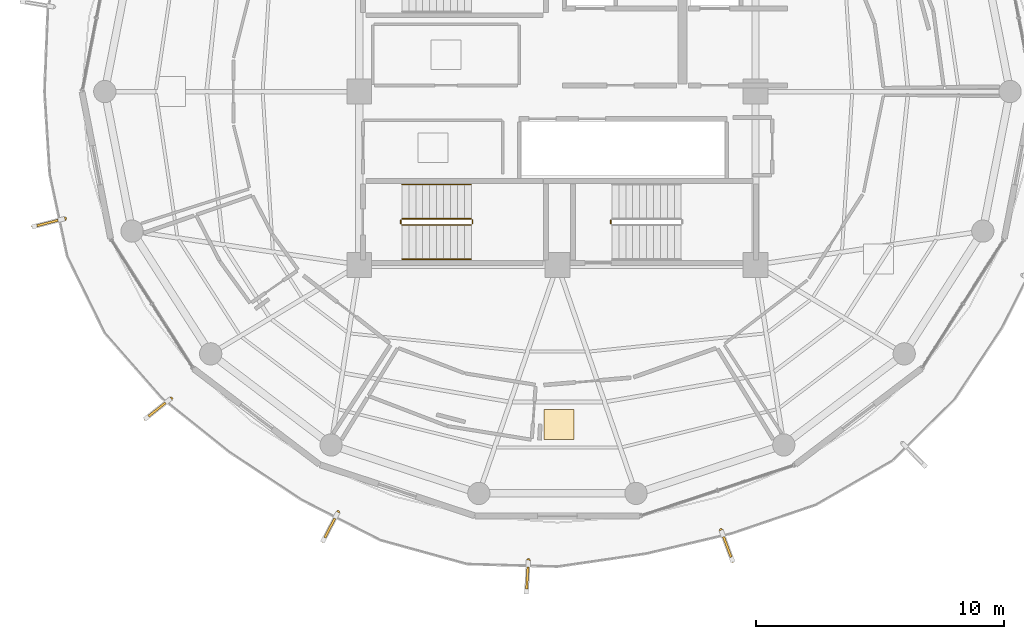
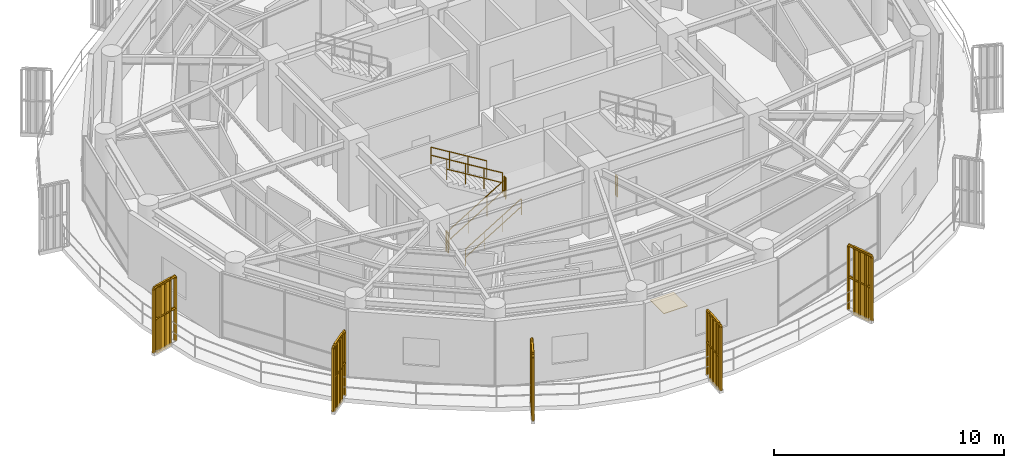
# One storey, part 19 of 22: 12 railings, 5 shading devices, 1 covering.
"""IFC4 building model written with IfcOpenShell, lengths in metres."""

from ifc_helpers import new_model, si_unit, direction, frame, origin, origin_2d, place, context, subcontext, project, spatial, polyline, rectangle, outline, extrude, source, transform, mapped, material, layer, layer_set, type_object, element, save


model = new_model("IFC4")

# Units and contexts
model_context = context("Model", 3, precision=1e-05, world=origin(), true_north=direction((0.0, 1.0)))
body_context = subcontext(model_context, "Body", "Model", "MODEL_VIEW")
ifc_project = project(units=[si_unit("LENGTHUNIT", "METRE"), si_unit("AREAUNIT", "SQUARE_METRE"), si_unit("VOLUMEUNIT", "CUBIC_METRE"), si_unit("PLANEANGLEUNIT", "RADIAN"), si_unit("MASSUNIT", "GRAM", prefix="KILO")], contexts=[model_context])

# Site, building, storey
site_placement = place(None, origin())
site = spatial("IfcSite", under=ifc_project, at=site_placement, CompositionType="ELEMENT")
building_placement = place(site_placement, origin())
building = spatial("IfcBuilding", under=site, at=building_placement, Name="Kelanora Arch Commons", CompositionType="ELEMENT")
storey_placement = place(building_placement, frame((0.0, 0.0, 271.199951171875)))
storey = spatial("IfcBuildingStorey", under=building, at=storey_placement, Name="L69", CompositionType="ELEMENT", Elevation=271.199951171875)

# Railings
ifc_material_1 = material(Name="Anodised bronze vertical shading fin rib assembly")
railing_type_1 = type_object("IfcRailingType", Name="RAIL-FIN-BRZ", PredefinedType="BALUSTRADE", material=ifc_material_1)
railing_1_placement = place(storey_placement, frame((54.105712890625, 52.87060546875, -0.02001953125)))
element("IfcRailing", 1, at=railing_1_placement, inside=storey, type_object=railing_type_1, Name="Sweeping Bronze Vertical Fin Blade L69-09", PredefinedType="BALUSTRADE", context=body_context, shape_type="SweptSolid", body=[
    extrude(outline(polyline([(0.06982421875, 0.0), (0.034912109375, 0.060546875), (-0.034912109375, 0.060546875), (-0.06982421875, 0.0), (-0.034912109375, -0.060546875), (0.034912109375, -0.060546875), (0.06982421875, 0.0)])), frame((0.0, 0.0, 3.419921875), z_axis=(-0.96831089758, -0.249747884132, 0.0), x_axis=(0.249747884132, -0.96831089758, 0.0)), (0.0, 0.0, 1.0), 1.304931640625),
    extrude(outline(polyline([(0.06982421875, 0.0), (0.034912109375, 0.060546875), (-0.034912109375, 0.060546875), (-0.06982421875, 0.0), (-0.034912109375, -0.060546875), (0.034912109375, -0.060546875), (0.06982421875, 0.0)])), frame((0.0, 0.0, 1.7451171875), z_axis=(-0.96831089758, -0.249747884132, 0.0), x_axis=(0.249747884132, -0.96831089758, 0.0)), (0.0, 0.0, 1.0), 1.304931640625),
    extrude(outline(polyline([(0.080078125, 0.0), (0.0400390625, 0.0693359375), (-0.0400390625, 0.0693359375), (-0.080078125, 0.0), (-0.0400390625, -0.0693359375), (0.0400390625, -0.0693359375), (0.080078125, 0.0)])), origin(), (0.0, 0.0, 1.0), 3.35009765625),
    extrude(outline(polyline([(0.080078125, 0.0), (0.0400390625, 0.0693359375), (-0.0400390625, 0.0693359375), (-0.080078125, 0.0), (-0.0400390625, -0.0693359375), (0.0400390625, -0.0693359375), (0.080078125, 0.0)])), frame((-0.31591796875, -0.08154296875, 0.0)), (0.0, 0.0, 1.0), 3.35009765625),
    extrude(outline(polyline([(0.080078125, 0.0), (0.0400390625, 0.0693359375), (-0.0400390625, 0.0693359375), (-0.080078125, 0.0), (-0.0400390625, -0.0693359375), (0.0400390625, -0.0693359375), (0.080078125, 0.0)])), frame((-0.6318359375, -0.1630859375, 0.0)), (0.0, 0.0, 1.0), 3.35009765625),
    extrude(outline(polyline([(0.080078125, 0.0), (0.0400390625, 0.0693359375), (-0.0400390625, 0.0693359375), (-0.080078125, 0.0), (-0.0400390625, -0.0693359375), (0.0400390625, -0.0693359375), (0.080078125, 0.0)])), frame((-0.94775390625, -0.244384765625, 0.0)), (0.0, 0.0, 1.0), 3.35009765625),
    extrude(outline(polyline([(0.080078125, 0.0), (0.0400390625, 0.0693359375), (-0.0400390625, 0.0693359375), (-0.080078125, 0.0), (-0.0400390625, -0.0693359375), (0.0400390625, -0.0693359375), (0.080078125, 0.0)])), frame((-1.263671875, -0.325927734375, 0.0)), (0.0, 0.0, 1.0), 3.35009765625),
])
railing_2_placement = place(storey_placement, frame((58.393310546875, 45.6044921875, -0.02001953125)))
element("IfcRailing", 2, at=railing_2_placement, inside=storey, type_object=railing_type_1, Name="Sweeping Bronze Vertical Fin Blade L69-10", PredefinedType="BALUSTRADE", context=body_context, shape_type="SweptSolid", body=[
    extrude(outline(polyline([(0.06982421875, 0.0), (0.034912109375, 0.060546875), (-0.034912109375, 0.060546875), (-0.06982421875, 0.0), (-0.034912109375, -0.060546875), (0.034912109375, -0.060546875), (0.06982421875, 0.0)])), frame((0.0, 0.0, 3.419921875), z_axis=(-0.783126925406, -0.62186189681, 0.0), x_axis=(0.62186189681, -0.783126925406, 0.0)), (0.0, 0.0, 1.0), 1.304931640625),
    extrude(outline(polyline([(0.06982421875, 0.0), (0.034912109375, 0.060546875), (-0.034912109375, 0.060546875), (-0.06982421875, 0.0), (-0.034912109375, -0.060546875), (0.034912109375, -0.060546875), (0.06982421875, 0.0)])), frame((0.0, 0.0, 1.7451171875), z_axis=(-0.783126925406, -0.62186189681, 0.0), x_axis=(0.62186189681, -0.783126925406, 0.0)), (0.0, 0.0, 1.0), 1.304931640625),
    extrude(outline(polyline([(0.080078125, 0.0), (0.0400390625, 0.0693359375), (-0.0400390625, 0.0693359375), (-0.080078125, 0.0), (-0.0400390625, -0.0693359375), (0.0400390625, -0.0693359375), (0.080078125, 0.0)])), origin(), (0.0, 0.0, 1.0), 3.35009765625),
    extrude(outline(polyline([(0.080078125, 0.0), (0.0400390625, 0.0693359375), (-0.0400390625, 0.0693359375), (-0.080078125, 0.0), (-0.0400390625, -0.0693359375), (0.0400390625, -0.0693359375), (0.080078125, 0.0)])), frame((-0.25537109375, -0.202880859375, 0.0)), (0.0, 0.0, 1.0), 3.35009765625),
    extrude(outline(polyline([(0.080078125, 0.0), (0.0400390625, 0.0693359375), (-0.0400390625, 0.0693359375), (-0.080078125, 0.0), (-0.0400390625, -0.0693359375), (0.0400390625, -0.0693359375), (0.080078125, 0.0)])), frame((-0.510986328125, -0.40576171875, 0.0)), (0.0, 0.0, 1.0), 3.35009765625),
    extrude(outline(polyline([(0.080078125, 0.0), (0.0400390625, 0.0693359375), (-0.0400390625, 0.0693359375), (-0.080078125, 0.0), (-0.0400390625, -0.0693359375), (0.0400390625, -0.0693359375), (0.080078125, 0.0)])), frame((-0.7666015625, -0.608642578125, 0.0)), (0.0, 0.0, 1.0), 3.35009765625),
    extrude(outline(polyline([(0.080078125, 0.0), (0.0400390625, 0.0693359375), (-0.0400390625, 0.0693359375), (-0.080078125, 0.0), (-0.0400390625, -0.0693359375), (0.0400390625, -0.0693359375), (0.080078125, 0.0)])), frame((-1.02197265625, -0.8115234375, 0.0)), (0.0, 0.0, 1.0), 3.35009765625),
])
railing_3_placement = place(storey_placement, frame((65.140380859375, 41.01123046875, -0.02001953125)))
element("IfcRailing", 3, at=railing_3_placement, inside=storey, type_object=railing_type_1, Name="Sweeping Bronze Vertical Fin Blade L69-11", PredefinedType="BALUSTRADE", context=body_context, shape_type="SweptSolid", body=[
    extrude(outline(polyline([(0.06982421875, 0.0), (0.034912109375, 0.060546875), (-0.034912109375, 0.060546875), (-0.06982421875, 0.0), (-0.034912109375, -0.060546875), (0.034912109375, -0.060546875), (0.06982421875, 0.0)])), frame((0.0, 0.0, 3.419921875), z_axis=(-0.462412571572, -0.886664882383, 0.0), x_axis=(0.886664882383, -0.462412571572, 0.0)), (0.0, 0.0, 1.0), 1.30517578125),
    extrude(outline(polyline([(0.06982421875, 0.0), (0.034912109375, 0.060546875), (-0.034912109375, 0.060546875), (-0.06982421875, 0.0), (-0.034912109375, -0.060546875), (0.034912109375, -0.060546875), (0.06982421875, 0.0)])), frame((0.0, 0.0, 1.7451171875), z_axis=(-0.462412571572, -0.886664882383, 0.0), x_axis=(0.886664882383, -0.462412571572, 0.0)), (0.0, 0.0, 1.0), 1.30517578125),
    extrude(outline(polyline([(0.080078125, 0.0), (0.0400390625, 0.0693359375), (-0.0400390625, 0.0693359375), (-0.080078125, 0.0), (-0.0400390625, -0.0693359375), (0.0400390625, -0.0693359375), (0.080078125, 0.0)])), origin(), (0.0, 0.0, 1.0), 3.35009765625),
    extrude(outline(polyline([(0.080078125, 0.0), (0.0400390625, 0.0693359375), (-0.0400390625, 0.0693359375), (-0.080078125, 0.0), (-0.0400390625, -0.0693359375), (0.0400390625, -0.0693359375), (0.080078125, 0.0)])), frame((-0.15087890625, -0.289306640625, 0.0)), (0.0, 0.0, 1.0), 3.35009765625),
    extrude(outline(polyline([(0.080078125, 0.0), (0.0400390625, 0.0693359375), (-0.0400390625, 0.0693359375), (-0.080078125, 0.0), (-0.0400390625, -0.0693359375), (0.0400390625, -0.0693359375), (0.080078125, 0.0)])), frame((-0.3017578125, -0.57861328125, 0.0)), (0.0, 0.0, 1.0), 3.35009765625),
    extrude(outline(polyline([(0.080078125, 0.0), (0.0400390625, 0.0693359375), (-0.0400390625, 0.0693359375), (-0.080078125, 0.0), (-0.0400390625, -0.0693359375), (0.0400390625, -0.0693359375), (0.080078125, 0.0)])), frame((-0.45263671875, -0.867919921875, 0.0)), (0.0, 0.0, 1.0), 3.35009765625),
    extrude(outline(polyline([(0.080078125, 0.0), (0.0400390625, 0.0693359375), (-0.0400390625, 0.0693359375), (-0.080078125, 0.0), (-0.0400390625, -0.0693359375), (0.0400390625, -0.0693359375), (0.080078125, 0.0)])), frame((-0.603515625, -1.1572265625, 0.0)), (0.0, 0.0, 1.0), 3.35009765625),
])
railing_4_placement = place(storey_placement, frame((72.82861328125, 39.072998046875, -0.02001953125)))
element("IfcRailing", 4, at=railing_4_placement, inside=storey, type_object=railing_type_1, Name="Sweeping Bronze Vertical Fin Blade L69-12", PredefinedType="BALUSTRADE", context=body_context, shape_type="SweptSolid", body=[
    extrude(outline(polyline([(0.06982421875, 0.0), (0.034912109375, 0.060546875), (-0.034912109375, 0.060546875), (-0.06982421875, 0.0), (-0.034912109375, -0.060546875), (0.034912109375, -0.060546875), (0.06982421875, 0.0)])), frame((0.0, 0.0, 3.419921875), z_axis=(-0.061924042417, -0.998080864946, 0.0), x_axis=(0.998080864946, -0.061924042417, 0.0)), (0.0, 0.0, 1.0), 1.304931640625),
    extrude(outline(polyline([(0.06982421875, 0.0), (0.034912109375, 0.060546875), (-0.034912109375, 0.060546875), (-0.06982421875, 0.0), (-0.034912109375, -0.060546875), (0.034912109375, -0.060546875), (0.06982421875, 0.0)])), frame((0.0, 0.0, 1.7451171875), z_axis=(-0.061924042417, -0.998080864946, 0.0), x_axis=(0.998080864946, -0.061924042417, 0.0)), (0.0, 0.0, 1.0), 1.304931640625),
    extrude(outline(polyline([(0.080078125, 0.0), (0.0400390625, 0.0693359375), (-0.0400390625, 0.0693359375), (-0.080078125, 0.0), (-0.0400390625, -0.0693359375), (0.0400390625, -0.0693359375), (0.080078125, 0.0)])), origin(), (0.0, 0.0, 1.0), 3.35009765625),
    extrude(outline(polyline([(0.080078125, 0.0), (0.0400390625, 0.0693359375), (-0.0400390625, 0.0693359375), (-0.080078125, 0.0), (-0.0400390625, -0.0693359375), (0.0400390625, -0.0693359375), (0.080078125, 0.0)])), frame((-0.020263671875, -0.32568359375, 0.0)), (0.0, 0.0, 1.0), 3.35009765625),
    extrude(outline(polyline([(0.080078125, 0.0), (0.0400390625, 0.0693359375), (-0.0400390625, 0.0693359375), (-0.080078125, 0.0), (-0.0400390625, -0.0693359375), (0.0400390625, -0.0693359375), (0.080078125, 0.0)])), frame((-0.04052734375, -0.6513671875, 0.0)), (0.0, 0.0, 1.0), 3.35009765625),
    extrude(outline(polyline([(0.080078125, 0.0), (0.0400390625, 0.0693359375), (-0.0400390625, 0.0693359375), (-0.080078125, 0.0), (-0.0400390625, -0.0693359375), (0.0400390625, -0.0693359375), (0.080078125, 0.0)])), frame((-0.060546875, -0.976806640625, 0.0)), (0.0, 0.0, 1.0), 3.35009765625),
    extrude(outline(polyline([(0.080078125, 0.0), (0.0400390625, 0.0693359375), (-0.0400390625, 0.0693359375), (-0.080078125, 0.0), (-0.0400390625, -0.0693359375), (0.0400390625, -0.0693359375), (0.080078125, 0.0)])), frame((-0.080810546875, -1.302490234375, 0.0)), (0.0, 0.0, 1.0), 3.35009765625),
])
railing_5_placement = place(storey_placement, frame((80.609375, 40.28271484375, -0.02001953125)))
element("IfcRailing", 5, at=railing_5_placement, inside=storey, type_object=railing_type_1, Name="Sweeping Bronze Vertical Fin Blade L69-13", PredefinedType="BALUSTRADE", context=body_context, shape_type="SweptSolid", body=[
    extrude(outline(polyline([(0.06982421875, 0.0), (0.034912109375, 0.060546875), (-0.034912109375, 0.060546875), (-0.06982421875, 0.0), (-0.034912109375, -0.060546875), (0.034912109375, -0.060546875), (0.06982421875, 0.0)])), frame((0.0, 0.0, 3.419921875), z_axis=(0.349482668558, -0.936942828767, 0.0), x_axis=(0.936942828767, 0.349482668558, 0.0)), (0.0, 0.0, 1.0), 1.304931640625),
    extrude(outline(polyline([(0.06982421875, 0.0), (0.034912109375, 0.060546875), (-0.034912109375, 0.060546875), (-0.06982421875, 0.0), (-0.034912109375, -0.060546875), (0.034912109375, -0.060546875), (0.06982421875, 0.0)])), frame((0.0, 0.0, 1.7451171875), z_axis=(0.349482668558, -0.936942828767, 0.0), x_axis=(0.936942828767, 0.349482668558, 0.0)), (0.0, 0.0, 1.0), 1.304931640625),
    extrude(outline(polyline([(0.080078125, 0.0), (0.0400390625, 0.0693359375), (-0.0400390625, 0.0693359375), (-0.080078125, 0.0), (-0.0400390625, -0.0693359375), (0.0400390625, -0.0693359375), (0.080078125, 0.0)])), origin(), (0.0, 0.0, 1.0), 3.35009765625),
    extrude(outline(polyline([(0.080078125, 0.0), (0.0400390625, 0.0693359375), (-0.0400390625, 0.0693359375), (-0.080078125, 0.0), (-0.0400390625, -0.0693359375), (0.0400390625, -0.0693359375), (0.080078125, 0.0)])), frame((0.114013671875, -0.3056640625, 0.0)), (0.0, 0.0, 1.0), 3.35009765625),
    extrude(outline(polyline([(0.080078125, 0.0), (0.0400390625, 0.0693359375), (-0.0400390625, 0.0693359375), (-0.080078125, 0.0), (-0.0400390625, -0.0693359375), (0.0400390625, -0.0693359375), (0.080078125, 0.0)])), frame((0.22802734375, -0.611328125, 0.0)), (0.0, 0.0, 1.0), 3.35009765625),
    extrude(outline(polyline([(0.080078125, 0.0), (0.0400390625, 0.0693359375), (-0.0400390625, 0.0693359375), (-0.080078125, 0.0), (-0.0400390625, -0.0693359375), (0.0400390625, -0.0693359375), (0.080078125, 0.0)])), frame((0.342041015625, -0.9169921875, 0.0)), (0.0, 0.0, 1.0), 3.35009765625),
    extrude(outline(polyline([(0.080078125, 0.0), (0.0400390625, 0.0693359375), (-0.0400390625, 0.0693359375), (-0.080078125, 0.0), (-0.0400390625, -0.0693359375), (0.0400390625, -0.0693359375), (0.080078125, 0.0)])), frame((0.4560546875, -1.22265625, 0.0)), (0.0, 0.0, 1.0), 3.35009765625),
])
ifc_material_2 = material(Name="Painted steel stair well guard", Category="steel")
railing_type_2 = type_object("IfcRailingType", Name="RAIL-STAIR-GRD", PredefinedType="GUARDRAIL", material=ifc_material_2)
railing_6_placement = place(storey_placement, frame((76.14990234375, 52.659912109375, 0.0)))
element("IfcRailing", 6, at=railing_6_placement, inside=storey, type_object=railing_type_2, Name="L69 ST-T2 stair guard 4", PredefinedType="GUARDRAIL", context=body_context, shape_type="SweptSolid", body=[
    extrude(outline(polyline([(0.02392578125, 0.0), (0.011962890625, 0.020751953125), (-0.011962890625, 0.020751953125), (-0.02392578125, 0.0), (-0.011962890625, -0.020751953125), (0.011962890625, -0.020751953125), (0.02392578125, 0.0)])), frame((0.0, 0.0, 1.076171875), z_axis=(0.0, 1.0, 0.0), x_axis=(-1.0, 0.0, 0.0)), (0.0, 0.0, 1.0), 0.150146484375),
    extrude(outline(polyline([(0.02392578125, 0.0), (0.011962890625, 0.020751953125), (-0.011962890625, 0.020751953125), (-0.02392578125, 0.0), (-0.011962890625, -0.020751953125), (0.011962890625, -0.020751953125), (0.02392578125, 0.0)])), frame((0.0, 0.0, 0.550048828125), z_axis=(0.0, 1.0, 0.0), x_axis=(-1.0, 0.0, 0.0)), (0.0, 0.0, 1.0), 0.150146484375),
    extrude(outline(polyline([(0.02099609375, 0.0), (0.010498046875, 0.01806640625), (-0.010498046875, 0.01806640625), (-0.02099609375, 0.0), (-0.010498046875, -0.01806640625), (0.010498046875, -0.01806640625), (0.02099609375, 0.0)])), origin(), (0.0, 0.0, 1.0), 1.052001953125),
    extrude(outline(polyline([(0.02099609375, 0.0), (0.010498046875, 0.01806640625), (-0.010498046875, 0.01806640625), (-0.02099609375, 0.0), (-0.010498046875, -0.01806640625), (0.010498046875, -0.01806640625), (0.02099609375, 0.0)])), frame((0.0, 0.150146484375, 0.0)), (0.0, 0.0, 1.0), 1.052001953125),
])
railing_7_placement = place(storey_placement, frame((67.719970703125, 52.610107421875, 0.17041015625)))
element("IfcRailing", 7, at=railing_7_placement, inside=storey, type_object=railing_type_2, Name="L69 ST-T3 stair guard 1", PredefinedType="GUARDRAIL", context=body_context, shape_type="SweptSolid", body=[
    extrude(outline(polyline([(0.02392578125, 0.0), (0.011962890625, 0.020751953125), (-0.011962890625, 0.020751953125), (-0.02392578125, 0.0), (-0.011962890625, -0.020751953125), (0.011962890625, -0.020751953125), (0.02392578125, 0.0)])), frame((0.0, 0.0, 1.076171875), z_axis=(0.854169791009, 0.0, 0.51999420009), x_axis=(0.0, 1.0, 0.0)), (0.0, 0.0, 1.0), 3.278076171875),
    extrude(outline(polyline([(0.02392578125, 0.0), (0.011962890625, 0.020751953125), (-0.011962890625, 0.020751953125), (-0.02392578125, 0.0), (-0.011962890625, -0.020751953125), (0.011962890625, -0.020751953125), (0.02392578125, 0.0)])), frame((0.0, 0.0, 0.550048828125), z_axis=(0.854169791009, 0.0, 0.51999420009), x_axis=(0.0, 1.0, 0.0)), (0.0, 0.0, 1.0), 3.278076171875),
    extrude(outline(polyline([(0.02099609375, 0.0), (0.010498046875, 0.01806640625), (-0.010498046875, 0.01806640625), (-0.02099609375, 0.0), (-0.010498046875, -0.01806640625), (0.010498046875, -0.01806640625), (0.02099609375, 0.0)])), origin(), (0.0, 0.0, 1.0), 1.052001953125),
    extrude(outline(polyline([(0.02099609375, 0.0), (0.010498046875, 0.01806640625), (-0.010498046875, 0.01806640625), (-0.02099609375, 0.0), (-0.010498046875, -0.01806640625), (0.010498046875, -0.01806640625), (0.02099609375, 0.0)])), frame((0.933349609375, 0.0, 0.568115234375)), (0.0, 0.0, 1.0), 1.052001953125),
    extrude(outline(polyline([(0.02099609375, 0.0), (0.010498046875, 0.01806640625), (-0.010498046875, 0.01806640625), (-0.02099609375, 0.0), (-0.010498046875, -0.01806640625), (0.010498046875, -0.01806640625), (0.02099609375, 0.0)])), frame((1.86669921875, 0.0, 1.136474609375)), (0.0, 0.0, 1.0), 1.052001953125),
    extrude(outline(polyline([(0.02099609375, 0.0), (0.010498046875, 0.01806640625), (-0.010498046875, 0.01806640625), (-0.02099609375, 0.0), (-0.010498046875, -0.01806640625), (0.010498046875, -0.01806640625), (0.02099609375, 0.0)])), frame((2.800048828125, 0.0, 1.70458984375)), (0.0, 0.0, 1.0), 1.052001953125),
])
railing_8_placement = place(storey_placement, frame((70.570068359375, 52.659912109375, 1.875)))
element("IfcRailing", 8, at=railing_8_placement, inside=storey, type_object=railing_type_2, Name="L69 ST-T3 stair guard 2", PredefinedType="GUARDRAIL", context=body_context, shape_type="SweptSolid", body=[
    extrude(outline(polyline([(0.02392578125, 0.0), (0.011962890625, 0.020751953125), (-0.011962890625, 0.020751953125), (-0.02392578125, 0.0), (-0.011962890625, -0.020751953125), (0.011962890625, -0.020751953125), (0.02392578125, 0.0)])), frame((0.0, 0.0, 1.076171875), z_axis=(0.0, 1.0, 0.0), x_axis=(-1.0, 0.0, 0.0)), (0.0, 0.0, 1.0), 0.150146484375),
    extrude(outline(polyline([(0.02392578125, 0.0), (0.011962890625, 0.020751953125), (-0.011962890625, 0.020751953125), (-0.02392578125, 0.0), (-0.011962890625, -0.020751953125), (0.011962890625, -0.020751953125), (0.02392578125, 0.0)])), frame((0.0, 0.0, 0.550048828125), z_axis=(0.0, 1.0, 0.0), x_axis=(-1.0, 0.0, 0.0)), (0.0, 0.0, 1.0), 0.150146484375),
    extrude(outline(polyline([(0.02099609375, 0.0), (0.010498046875, 0.01806640625), (-0.010498046875, 0.01806640625), (-0.02099609375, 0.0), (-0.010498046875, -0.01806640625), (0.010498046875, -0.01806640625), (0.02099609375, 0.0)])), origin(), (0.0, 0.0, 1.0), 1.052001953125),
    extrude(outline(polyline([(0.02099609375, 0.0), (0.010498046875, 0.01806640625), (-0.010498046875, 0.01806640625), (-0.02099609375, 0.0), (-0.010498046875, -0.01806640625), (0.010498046875, -0.01806640625), (0.02099609375, 0.0)])), frame((0.0, 0.150146484375, 0.0)), (0.0, 0.0, 1.0), 1.052001953125),
])
railing_9_placement = place(storey_placement, frame((70.52001953125, 52.860107421875, 2.04541015625)))
element("IfcRailing", 9, at=railing_9_placement, inside=storey, type_object=railing_type_2, Name="L69 ST-T3 stair guard 3", PredefinedType="GUARDRAIL", context=body_context, shape_type="SweptSolid", body=[
    extrude(outline(polyline([(0.02392578125, 0.0), (0.011962890625, 0.020751953125), (-0.011962890625, 0.020751953125), (-0.02392578125, 0.0), (-0.011962890625, -0.020751953125), (0.011962890625, -0.020751953125), (0.02392578125, 0.0)])), frame((0.0, 0.0, 1.076171875), z_axis=(-0.854169791009, 0.0, 0.51999420009), x_axis=(0.0, -1.0, 0.0)), (0.0, 0.0, 1.0), 3.278076171875),
    extrude(outline(polyline([(0.02392578125, 0.0), (0.011962890625, 0.020751953125), (-0.011962890625, 0.020751953125), (-0.02392578125, 0.0), (-0.011962890625, -0.020751953125), (0.011962890625, -0.020751953125), (0.02392578125, 0.0)])), frame((0.0, 0.0, 0.550048828125), z_axis=(-0.854169791009, 0.0, 0.51999420009), x_axis=(0.0, -1.0, 0.0)), (0.0, 0.0, 1.0), 3.278076171875),
    extrude(outline(polyline([(0.02099609375, 0.0), (0.010498046875, 0.01806640625), (-0.010498046875, 0.01806640625), (-0.02099609375, 0.0), (-0.010498046875, -0.01806640625), (0.010498046875, -0.01806640625), (0.02099609375, 0.0)])), origin(), (0.0, 0.0, 1.0), 1.052001953125),
    extrude(outline(polyline([(0.02099609375, 0.0), (0.010498046875, 0.01806640625), (-0.010498046875, 0.01806640625), (-0.02099609375, 0.0), (-0.010498046875, -0.01806640625), (0.010498046875, -0.01806640625), (0.02099609375, 0.0)])), frame((-0.933349609375, 0.0, 0.568115234375)), (0.0, 0.0, 1.0), 1.052001953125),
    extrude(outline(polyline([(0.02099609375, 0.0), (0.010498046875, 0.01806640625), (-0.010498046875, 0.01806640625), (-0.02099609375, 0.0), (-0.010498046875, -0.01806640625), (0.010498046875, -0.01806640625), (0.02099609375, 0.0)])), frame((-1.86669921875, 0.0, 1.136474609375)), (0.0, 0.0, 1.0), 1.052001953125),
    extrude(outline(polyline([(0.02099609375, 0.0), (0.010498046875, 0.01806640625), (-0.010498046875, 0.01806640625), (-0.02099609375, 0.0), (-0.010498046875, -0.01806640625), (0.010498046875, -0.01806640625), (0.02099609375, 0.0)])), frame((-2.800048828125, 0.0, 1.70458984375)), (0.0, 0.0, 1.0), 1.052001953125),
])
railing_10_placement = place(storey_placement, frame((67.669921875, 52.659912109375, 0.0)))
element("IfcRailing", 10, at=railing_10_placement, inside=storey, type_object=railing_type_2, Name="L69 ST-T3 stair guard 4", PredefinedType="GUARDRAIL", context=body_context, shape_type="SweptSolid", body=[
    extrude(outline(polyline([(0.02392578125, 0.0), (0.011962890625, 0.020751953125), (-0.011962890625, 0.020751953125), (-0.02392578125, 0.0), (-0.011962890625, -0.020751953125), (0.011962890625, -0.020751953125), (0.02392578125, 0.0)])), frame((0.0, 0.0, 1.076171875), z_axis=(0.0, 1.0, 0.0), x_axis=(-1.0, 0.0, 0.0)), (0.0, 0.0, 1.0), 0.150146484375),
    extrude(outline(polyline([(0.02392578125, 0.0), (0.011962890625, 0.020751953125), (-0.011962890625, 0.020751953125), (-0.02392578125, 0.0), (-0.011962890625, -0.020751953125), (0.011962890625, -0.020751953125), (0.02392578125, 0.0)])), frame((0.0, 0.0, 0.550048828125), z_axis=(0.0, 1.0, 0.0), x_axis=(-1.0, 0.0, 0.0)), (0.0, 0.0, 1.0), 0.150146484375),
    extrude(outline(polyline([(0.02099609375, 0.0), (0.010498046875, 0.01806640625), (-0.010498046875, 0.01806640625), (-0.02099609375, 0.0), (-0.010498046875, -0.01806640625), (0.010498046875, -0.01806640625), (0.02099609375, 0.0)])), origin(), (0.0, 0.0, 1.0), 1.052001953125),
    extrude(outline(polyline([(0.02099609375, 0.0), (0.010498046875, 0.01806640625), (-0.010498046875, 0.01806640625), (-0.02099609375, 0.0), (-0.010498046875, -0.01806640625), (0.010498046875, -0.01806640625), (0.02099609375, 0.0)])), frame((0.0, 0.150146484375, 0.0)), (0.0, 0.0, 1.0), 1.052001953125),
])
ifc_material_3 = material(Name="Brushed stainless steel stair handrail", Category="steel")
railing_type_3 = type_object("IfcRailingType", Name="RAIL-STAIR-HND", PredefinedType="HANDRAIL", material=ifc_material_3)
railing_11_placement = place(storey_placement, frame((67.719970703125, 51.22998046875, 0.17041015625)))
element("IfcRailing", 11, at=railing_11_placement, inside=storey, type_object=railing_type_3, Name="L69 ST-T3 stair handrail 1", PredefinedType="HANDRAIL", context=body_context, shape_type="SweptSolid", body=[
    extrude(outline(polyline([(0.02392578125, 0.0), (0.011962890625, 0.020751953125), (-0.011962890625, 0.020751953125), (-0.02392578125, 0.0), (-0.011962890625, -0.020751953125), (0.011962890625, -0.020751953125), (0.02392578125, 0.0)])), frame((0.0, 0.0, 0.8759765625), z_axis=(0.854169791009, 0.0, 0.51999420009), x_axis=(0.0, 1.0, 0.0)), (0.0, 0.0, 1.0), 3.278076171875),
    extrude(outline(polyline([(0.02392578125, 0.0), (0.011962890625, 0.020751953125), (-0.011962890625, 0.020751953125), (-0.02392578125, 0.0), (-0.011962890625, -0.020751953125), (0.011962890625, -0.020751953125), (0.02392578125, 0.0)])), frame((0.0, 0.0, 0.449951171875), z_axis=(0.854169791009, 0.0, 0.51999420009), x_axis=(0.0, 1.0, 0.0)), (0.0, 0.0, 1.0), 3.278076171875),
    extrude(outline(polyline([(0.02099609375, 0.0), (0.010498046875, 0.01806640625), (-0.010498046875, 0.01806640625), (-0.02099609375, 0.0), (-0.010498046875, -0.01806640625), (0.010498046875, -0.01806640625), (0.02099609375, 0.0)])), origin(), (0.0, 0.0, 1.0), 0.851806640625),
    extrude(outline(polyline([(0.02099609375, 0.0), (0.010498046875, 0.01806640625), (-0.010498046875, 0.01806640625), (-0.02099609375, 0.0), (-0.010498046875, -0.01806640625), (0.010498046875, -0.01806640625), (0.02099609375, 0.0)])), frame((0.933349609375, 0.0, 0.568115234375)), (0.0, 0.0, 1.0), 0.851806640625),
    extrude(outline(polyline([(0.02099609375, 0.0), (0.010498046875, 0.01806640625), (-0.010498046875, 0.01806640625), (-0.02099609375, 0.0), (-0.010498046875, -0.01806640625), (0.010498046875, -0.01806640625), (0.02099609375, 0.0)])), frame((1.86669921875, 0.0, 1.136474609375)), (0.0, 0.0, 1.0), 0.851806640625),
    extrude(outline(polyline([(0.02099609375, 0.0), (0.010498046875, 0.01806640625), (-0.010498046875, 0.01806640625), (-0.02099609375, 0.0), (-0.010498046875, -0.01806640625), (0.010498046875, -0.01806640625), (0.02099609375, 0.0)])), frame((2.800048828125, 0.0, 1.70458984375)), (0.0, 0.0, 1.0), 0.851806640625),
])
railing_12_placement = place(storey_placement, frame((70.52001953125, 54.239990234375, 2.04541015625)))
element("IfcRailing", 12, at=railing_12_placement, inside=storey, type_object=railing_type_3, Name="L69 ST-T3 stair handrail 2", PredefinedType="HANDRAIL", context=body_context, shape_type="SweptSolid", body=[
    extrude(outline(polyline([(0.02392578125, 0.0), (0.011962890625, 0.020751953125), (-0.011962890625, 0.020751953125), (-0.02392578125, 0.0), (-0.011962890625, -0.020751953125), (0.011962890625, -0.020751953125), (0.02392578125, 0.0)])), frame((0.0, 0.0, 0.8759765625), z_axis=(-0.854169791009, 0.0, 0.51999420009), x_axis=(0.0, -1.0, 0.0)), (0.0, 0.0, 1.0), 3.278076171875),
    extrude(outline(polyline([(0.02392578125, 0.0), (0.011962890625, 0.020751953125), (-0.011962890625, 0.020751953125), (-0.02392578125, 0.0), (-0.011962890625, -0.020751953125), (0.011962890625, -0.020751953125), (0.02392578125, 0.0)])), frame((0.0, 0.0, 0.449951171875), z_axis=(-0.854169791009, 0.0, 0.51999420009), x_axis=(0.0, -1.0, 0.0)), (0.0, 0.0, 1.0), 3.278076171875),
    extrude(outline(polyline([(0.02099609375, 0.0), (0.010498046875, 0.01806640625), (-0.010498046875, 0.01806640625), (-0.02099609375, 0.0), (-0.010498046875, -0.01806640625), (0.010498046875, -0.01806640625), (0.02099609375, 0.0)])), origin(), (0.0, 0.0, 1.0), 0.851806640625),
    extrude(outline(polyline([(0.02099609375, 0.0), (0.010498046875, 0.01806640625), (-0.010498046875, 0.01806640625), (-0.02099609375, 0.0), (-0.010498046875, -0.01806640625), (0.010498046875, -0.01806640625), (0.02099609375, 0.0)])), frame((-0.933349609375, 0.0, 0.568115234375)), (0.0, 0.0, 1.0), 0.851806640625),
    extrude(outline(polyline([(0.02099609375, 0.0), (0.010498046875, 0.01806640625), (-0.010498046875, 0.01806640625), (-0.02099609375, 0.0), (-0.010498046875, -0.01806640625), (0.010498046875, -0.01806640625), (0.02099609375, 0.0)])), frame((-1.86669921875, 0.0, 1.136474609375)), (0.0, 0.0, 1.0), 0.851806640625),
    extrude(outline(polyline([(0.02099609375, 0.0), (0.010498046875, 0.01806640625), (-0.010498046875, 0.01806640625), (-0.02099609375, 0.0), (-0.010498046875, -0.01806640625), (0.010498046875, -0.01806640625), (0.02099609375, 0.0)])), frame((-2.800048828125, 0.0, 1.70458984375)), (0.0, 0.0, 1.0), 0.851806640625),
])

# Shading devices
ifc_material_4 = material(Name="Terracotta ceramic-clad extruded aluminium fin", Category="masonry")
shading_device_type = type_object("IfcShadingDeviceType", Name="SHD-FIN-FLARE", PredefinedType="USERDEFINED", material=ifc_material_4)
shared_shape_1 = source(origin(), body_context, "Body", "SweptSolid", [
    extrude(rectangle(XDim=0.8798828125, YDim=0.090087890625, at=origin_2d()), origin(), (0.0, 0.0, 1.0), 3.610107421875),
])
for number, where, z_axis, x_axis, name in (
    (13, (53.408447265625, 52.69091796875, -0.14013671875), (0.0, 0.0, 1.0), (-0.96832220265, -0.249704048534, 0.0), "Sweeping Terracotta Fin L69-09"),
    (14, (57.82958984375, 45.15673828125, -0.14013671875), (0.0, 0.0, 1.0), (-0.783042563302, -0.621968121415, 0.0), "Sweeping Terracotta Fin L69-10"),
    (15, (64.8076171875, 40.372802734375, -0.14013671875), (0.0, 0.0, 1.0), (-0.462367751041, -0.886688255701, 0.0), "Sweeping Terracotta Fin L69-11"),
    (16, (72.783935546875, 38.3544921875, -0.14013671875), (0.0, 0.0, 1.0), (-0.061745354146, -0.998091935265, 0.0), "Sweeping Terracotta Fin L69-12"),
    (17, (80.861083984375, 39.608154296875, -0.14013671875), (0.0, 0.0, 1.0), (0.349553375421, -0.936916451842, 0.0), "Sweeping Terracotta Fin L69-13"),
):
    element("IfcShadingDevice", number, at=place(storey_placement, frame(where, z_axis=z_axis, x_axis=x_axis)), inside=storey, type_object=shading_device_type, Name=name, ObjectType="FIN", PredefinedType="USERDEFINED", context=body_context, shape_type="MappedRepresentation", body=[
        mapped(shared_shape_1, transform((0.0, 0.0, 0.0), scale=1.0)),
    ])

# Covering
ifc_material_5 = material(Name="Polished local granite terrazzo flooring", Category="masonry")
ifc_layer = layer(ifc_material_5, 0.030029296875)
ifc_layer_set = layer_set([ifc_layer], Name="Polished local granite terrazzo flooring")
covering_type = type_object("IfcCoveringType", Name="COV-FLR-TER", PredefinedType="FLOORING", material=ifc_layer_set)
shared_shape_2 = source(origin(), body_context, "Body", "SweptSolid", [
    extrude(rectangle(XDim=1.199951171875, YDim=1.199951171875, at=origin_2d()), origin(), (0.0, 0.0, 1.0), 0.030029296875),
])
covering_placement = place(storey_placement, frame((74.060302734375, 44.553955078125, 0.0), z_axis=(0.0, 0.0, 1.0), x_axis=(1.0, 0.0, 0.0)))
element("IfcCovering", 18, at=covering_placement, inside=storey, type_object=covering_type, Name="Co-Living Studio L69-05 Terrazzo Finish", PredefinedType="FLOORING", context=body_context, shape_type="MappedRepresentation", body=[
    mapped(shared_shape_2, transform((0.0, 0.0, 0.0), scale=1.0)),
])

save(model, "model.ifc")
